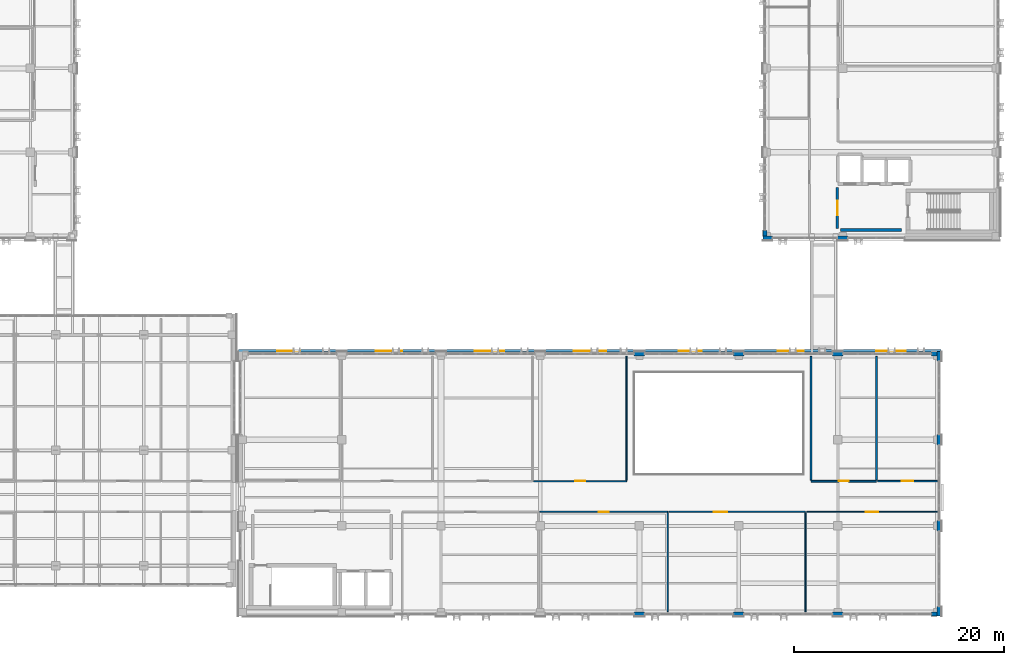
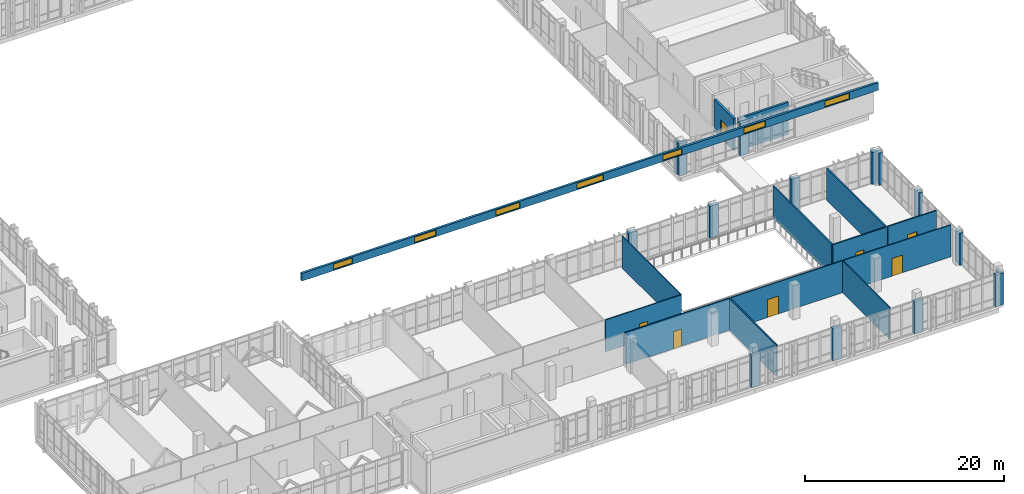
# One storey, part 131 of 158: 29 walls, 7 doors, 7 windows, 14 openings.
"""IFC4 building model written with IfcOpenShell, lengths in metres."""

from ifc_helpers import new_model, si_unit, direction, frame, frame_2d, origin, place, context, subcontext, project, spatial, rectangle, extrude, material, layer, layer_set, type_object, element, fill, save


model = new_model("IFC4")

# Units and contexts
model_context = context("Model", 3, precision=1e-05, world=origin(), true_north=direction((0.0, 1.0)))
body_context = subcontext(model_context, "Body", "Model", "MODEL_VIEW")
ifc_project = project(units=[si_unit("LENGTHUNIT", "METRE"), si_unit("AREAUNIT", "SQUARE_METRE"), si_unit("VOLUMEUNIT", "CUBIC_METRE"), si_unit("PLANEANGLEUNIT", "RADIAN"), si_unit("MASSUNIT", "GRAM", prefix="KILO")], contexts=[model_context])

# Site, building, storey
site_placement = place(None, origin())
site = spatial("IfcSite", under=ifc_project, at=site_placement, CompositionType="ELEMENT")
building_placement = place(site_placement, origin())
building = spatial("IfcBuilding", under=site, at=building_placement, Name="Qalavern Law Courts", CompositionType="ELEMENT")
storey_placement = place(building_placement, frame((0.0, 0.0, 18.60009765625)))
storey = spatial("IfcBuildingStorey", under=building, at=storey_placement, Name="L04", CompositionType="ELEMENT", Elevation=18.60009765625)

# Walls
ifc_material_1 = material(Name="Concrete C40/50", Category="concrete")
ifc_layer_1 = layer(ifc_material_1, 0.39990234375)
ifc_layer_set_1 = layer_set([ifc_layer_1], Name="Concrete C40/50")
wall_type_1 = type_object("IfcWallType", Name="ENV-EW-400", PredefinedType="SOLIDWALL", material=ifc_layer_set_1)
for number, where, z_axis, x_axis, name in (
    (1, (71.93701171875, 5.39990234375, 0.0), (0.0, 0.0, 1.0), (1.0, 0.0, 0.0), "V2 exterior pier wall L04 south 4"),
    (2, (81.391357421875, 5.39990234375, 0.0), (0.0, 0.0, 1.0), (1.0, 0.0, 0.0), "V2 exterior pier wall L04 south 5"),
    (3, (90.845703125, 5.39990234375, 0.0), (0.0, 0.0, 1.0), (1.0, 0.0, 0.0), "V2 exterior pier wall L04 south 6"),
):
    element("IfcWall", number, at=place(storey_placement, frame(where, z_axis=z_axis, x_axis=x_axis)), inside=storey, type_object=wall_type_1, Name=name, PredefinedType="SOLIDWALL", context=body_context, shape_type="SweptSolid", body=[
        extrude(rectangle(XDim=1.0, YDim=0.39990234375, at=frame_2d((0.5, 0.0))), origin(), (0.0, 0.0, 1.0), 3.9248046875),
    ])
wall_1_placement = place(storey_placement, frame((100.2548828125, 5.39990234375, 0.0), z_axis=(0.0, 0.0, 1.0), x_axis=(1.0, 0.0, 0.0)))
element("IfcWall", 4, at=wall_1_placement, inside=storey, type_object=wall_type_1, Name="V2 exterior pier wall L04 south 7", PredefinedType="SOLIDWALL", context=body_context, shape_type="SweptSolid", body=[
    extrude(rectangle(XDim=0.550048828125, YDim=0.39990234375, at=frame_2d((0.27490234375, 0.0))), origin(), (0.0, 0.0, 1.0), 3.9248046875),
])
wall_2_placement = place(storey_placement, frame((101.0, 5.199951171875, 0.0), z_axis=(0.0, 0.0, 1.0), x_axis=(0.0, 1.0, 0.0)))
element("IfcWall", 5, at=wall_2_placement, inside=storey, type_object=wall_type_1, Name="V2 exterior pier wall L04 east 1", PredefinedType="SOLIDWALL", context=body_context, shape_type="SweptSolid", body=[
    extrude(rectangle(XDim=0.900146484375, YDim=0.39990234375, at=frame_2d((0.4501953125, 0.0))), origin(), (0.0, 0.0, 1.0), 3.9248046875),
])
for number, where, z_axis, x_axis, name in (
    (6, (101.0, 13.300048828125, 0.0), (0.0, 0.0, 1.0), (0.0, 1.0, 0.0), "V2 exterior pier wall L04 east 2"),
    (7, (101.0, 21.5, 0.0), (0.0, 0.0, 1.0), (0.0, 1.0, 0.0), "V2 exterior pier wall L04 east 3"),
):
    element("IfcWall", number, at=place(storey_placement, frame(where, z_axis=z_axis, x_axis=x_axis)), inside=storey, type_object=wall_type_1, Name=name, PredefinedType="SOLIDWALL", context=body_context, shape_type="SweptSolid", body=[
        extrude(rectangle(XDim=1.0, YDim=0.39990234375, at=frame_2d((0.5, 0.0))), origin(), (0.0, 0.0, 1.0), 3.9248046875),
    ])
wall_3_placement = place(storey_placement, frame((101.0, 29.5, 0.0), z_axis=(0.0, 0.0, 1.0), x_axis=(0.0, 1.0, 0.0)))
element("IfcWall", 8, at=wall_3_placement, inside=storey, type_object=wall_type_1, Name="V2 exterior pier wall L04 east 4", PredefinedType="SOLIDWALL", context=body_context, shape_type="SweptSolid", body=[
    extrude(rectangle(XDim=0.89990234375, YDim=0.39990234375, at=frame_2d((0.449951171875, 0.0))), origin(), (0.0, 0.0, 1.0), 3.9248046875),
])
wall_4_placement = place(storey_placement, frame((100.804931640625, 30.199951171875, 0.0), z_axis=(0.0, 0.0, 1.0), x_axis=(-1.0, 0.0, 0.0)))
element("IfcWall", 9, at=wall_4_placement, inside=storey, type_object=wall_type_1, Name="V2 exterior pier wall L04 north 1", PredefinedType="SOLIDWALL", context=body_context, shape_type="SweptSolid", body=[
    extrude(rectangle(XDim=0.550048828125, YDim=0.39990234375, at=frame_2d((0.27490234375, 0.0))), origin(), (0.0, 0.0, 1.0), 3.9248046875),
])
for number, where, z_axis, x_axis, name in (
    (10, (91.845703125, 30.199951171875, 0.0), (0.0, 0.0, 1.0), (-1.0, 0.0, 0.0), "V2 exterior pier wall L04 north 2"),
    (11, (82.391357421875, 30.199951171875, 0.0), (0.0, 0.0, 1.0), (-1.0, 0.0, 0.0), "V2 exterior pier wall L04 north 3"),
    (12, (72.93701171875, 30.199951171875, 0.0), (0.0, 0.0, 1.0), (-1.0, 0.0, 0.0), "V2 exterior pier wall L04 north 4"),
):
    element("IfcWall", number, at=place(storey_placement, frame(where, z_axis=z_axis, x_axis=x_axis)), inside=storey, type_object=wall_type_1, Name=name, PredefinedType="SOLIDWALL", context=body_context, shape_type="SweptSolid", body=[
        extrude(rectangle(XDim=1.0, YDim=0.39990234375, at=frame_2d((0.5, 0.0))), origin(), (0.0, 0.0, 1.0), 3.9248046875),
    ])
wall_5_placement = place(storey_placement, frame((84.199951171875, 41.219970703125, 0.0), z_axis=(0.0, 0.0, 1.0), x_axis=(1.0, 0.0, 0.0)))
element("IfcWall", 13, at=wall_5_placement, inside=storey, type_object=wall_type_1, Name="V4 exterior pier wall L04 south 1", PredefinedType="SOLIDWALL", context=body_context, shape_type="SweptSolid", body=[
    extrude(rectangle(XDim=0.900146484375, YDim=0.39990234375, at=frame_2d((0.4501953125, 0.0))), origin(), (0.0, 0.0, 1.0), 3.9248046875),
])
wall_6_placement = place(storey_placement, frame((91.300048828125, 41.219970703125, 0.0), z_axis=(0.0, 0.0, 1.0), x_axis=(1.0, 0.0, 0.0)))
element("IfcWall", 14, at=wall_6_placement, inside=storey, type_object=wall_type_1, Name="V4 exterior pier wall L04 south 2", PredefinedType="SOLIDWALL", context=body_context, shape_type="SweptSolid", body=[
    extrude(rectangle(XDim=1.0, YDim=0.39990234375, at=frame_2d((0.5, 0.0))), origin(), (0.0, 0.0, 1.0), 3.9248046875),
])
wall_7_placement = place(storey_placement, frame((84.39990234375, 41.965087890625, 0.0), z_axis=(0.0, 0.0, 1.0), x_axis=(0.0, -1.0, 0.0)))
element("IfcWall", 15, at=wall_7_placement, inside=storey, type_object=wall_type_1, Name="V4 exterior pier wall L04 west 7", PredefinedType="SOLIDWALL", context=body_context, shape_type="SweptSolid", body=[
    extrude(rectangle(XDim=0.550048828125, YDim=0.39990234375, at=frame_2d((0.27490234375, 0.0))), origin(), (0.0, 0.0, 1.0), 3.9248046875),
])

# Wall, openings, windows
ifc_layer_2 = layer(ifc_material_1, 0.260009765625)
ifc_layer_set_2 = layer_set([ifc_layer_2], Name="Concrete C40/50")
wall_type_2 = type_object("IfcWallType", Name="ENV-EW-CLR260", PredefinedType="SOLIDWALL", material=ifc_layer_set_2)
wall_8_placement = place(storey_placement, frame((101.199951171875, 30.47998046875, 11.059814453125), z_axis=(0.0, 0.0, 1.0), x_axis=(-1.0, 0.0, 0.0)))
wall_8 = element("IfcWall", 16, at=wall_8_placement, inside=storey, type_object=wall_type_2, Name="Ceremonial Hall north clerestory spandrel wall", PredefinedType="SOLIDWALL", context=body_context, shape_type="SweptSolid", body=[
    extrude(rectangle(XDim=66.97998046875, YDim=0.260009765625, at=frame_2d((33.489990234375, 0.0))), origin(), (0.0, 0.0, 1.0), 0.940185546875),
])
opening_1_placement = place(wall_8_placement, frame((61.095703125, 0.0, 0.10009765625)))
opening_1 = element("IfcOpeningElement", 17, at=opening_1_placement, cuts=wall_8, Name="Opening SK-01", PredefinedType="OPENING", context=body_context, shape_type="SweptSolid", body=[
    extrude(rectangle(XDim=2.199951171875, YDim=0.699951171875, at=frame_2d((1.10009765625, 0.35009765625))), frame((0.0, 0.14501953125, 0.0), z_axis=(0.0, -1.0, 0.0), x_axis=(1.0, 0.0, 0.0)), (0.0, 0.0, 1.0), 0.289794921875),
])
opening_2_placement = place(wall_8_placement, frame((51.377197265625, 0.0, 0.10009765625)))
opening_2 = element("IfcOpeningElement", 18, at=opening_2_placement, cuts=wall_8, Name="Opening SK-02", PredefinedType="OPENING", context=body_context, shape_type="SweptSolid", body=[
    extrude(rectangle(XDim=2.5, YDim=0.719970703125, at=frame_2d((1.25, 0.35986328125))), frame((0.0, 0.14501953125, 0.0), z_axis=(0.0, -1.0, 0.0), x_axis=(1.0, 0.0, 0.0)), (0.0, 0.0, 1.0), 0.289794921875),
])
opening_3_placement = place(wall_8_placement, frame((41.65869140625, 0.0, 0.10009765625)))
opening_3 = element("IfcOpeningElement", 19, at=opening_3_placement, cuts=wall_8, Name="Opening SK-03", PredefinedType="OPENING", context=body_context, shape_type="SweptSolid", body=[
    extrude(rectangle(XDim=2.800048828125, YDim=0.719970703125, at=frame_2d((1.39990234375, 0.35986328125))), frame((0.0, 0.14501953125, 0.0), z_axis=(0.0, -1.0, 0.0), x_axis=(1.0, 0.0, 0.0)), (0.0, 0.0, 1.0), 0.289794921875),
])
opening_4_placement = place(wall_8_placement, frame((31.93994140625, 0.0, 0.10009765625)))
opening_4 = element("IfcOpeningElement", 20, at=opening_4_placement, cuts=wall_8, Name="Opening SK-04", PredefinedType="OPENING", context=body_context, shape_type="SweptSolid", body=[
    extrude(rectangle(XDim=3.10009765625, YDim=0.719970703125, at=frame_2d((1.550048828125, 0.35986328125))), frame((0.0, 0.14501953125, 0.0), z_axis=(0.0, -1.0, 0.0), x_axis=(1.0, 0.0, 0.0)), (0.0, 0.0, 1.0), 0.289794921875),
])
opening_5_placement = place(wall_8_placement, frame((22.8212890625, 0.0, 0.10009765625)))
opening_5 = element("IfcOpeningElement", 21, at=opening_5_placement, cuts=wall_8, Name="Opening SK-01", PredefinedType="OPENING", context=body_context, shape_type="SweptSolid", body=[
    extrude(rectangle(XDim=2.199951171875, YDim=0.699951171875, at=frame_2d((1.10009765625, 0.35009765625))), frame((0.0, 0.14501953125, 0.0), z_axis=(0.0, -1.0, 0.0), x_axis=(1.0, 0.0, 0.0)), (0.0, 0.0, 1.0), 0.289794921875),
])
opening_6_placement = place(wall_8_placement, frame((13.102783203125, 0.0, 0.10009765625)))
opening_6 = element("IfcOpeningElement", 22, at=opening_6_placement, cuts=wall_8, Name="Opening SK-02", PredefinedType="OPENING", context=body_context, shape_type="SweptSolid", body=[
    extrude(rectangle(XDim=2.5, YDim=0.719970703125, at=frame_2d((1.25, 0.35986328125))), frame((0.0, 0.14501953125, 0.0), z_axis=(0.0, -1.0, 0.0), x_axis=(1.0, 0.0, 0.0)), (0.0, 0.0, 1.0), 0.289794921875),
])
opening_7_placement = place(wall_8_placement, frame((3.38427734375, 0.0, 0.10009765625)))
opening_7 = element("IfcOpeningElement", 23, at=opening_7_placement, cuts=wall_8, Name="Opening SK-03", PredefinedType="OPENING", context=body_context, shape_type="SweptSolid", body=[
    extrude(rectangle(XDim=2.800048828125, YDim=0.719970703125, at=frame_2d((1.39990234375, 0.35986328125))), frame((0.0, 0.14501953125, 0.0), z_axis=(0.0, -1.0, 0.0), x_axis=(1.0, 0.0, 0.0)), (0.0, 0.0, 1.0), 0.289794921875),
])
ifc_material_2 = material(Name="Anodised aluminium skylight with laminated low-E glazing", Category="aluminium")
window_type_1 = type_object("IfcWindowType", Name="ENV-SKY-2200x700", PartitioningType="SINGLE_PANEL", PredefinedType="SKYLIGHT", material=ifc_material_2)
window_1_placement = place(opening_1_placement, origin())
window_1 = element("IfcWindow", 24, at=window_1_placement, inside=storey, type_object=window_type_1, Name="Ceremonial Hall north clerestory skylight 1", OverallHeight=0.699951171875, OverallWidth=2.199951171875, PartitioningType="SINGLE_PANEL", PredefinedType="SKYLIGHT", context=body_context, shape_type="SweptSolid", body=[
    extrude(rectangle(XDim=2.199951171875, YDim=0.699951171875, at=frame_2d((1.10009765625, 0.35009765625))), frame((0.0, 0.030029296875, 0.0), z_axis=(0.0, -1.0, 0.0), x_axis=(1.0, 0.0, 0.0)), (0.0, 0.0, 1.0), 0.06005859375),
])
fill(opening_1, window_1)
window_2_placement = place(opening_5_placement, origin())
window_2 = element("IfcWindow", 25, at=window_2_placement, inside=storey, type_object=window_type_1, Name="Ceremonial Hall north clerestory skylight 5", OverallHeight=0.699951171875, OverallWidth=2.199951171875, PartitioningType="SINGLE_PANEL", PredefinedType="SKYLIGHT", context=body_context, shape_type="SweptSolid", body=[
    extrude(rectangle(XDim=2.199951171875, YDim=0.699951171875, at=frame_2d((1.10009765625, 0.35009765625))), frame((0.0, 0.030029296875, 0.0), z_axis=(0.0, -1.0, 0.0), x_axis=(1.0, 0.0, 0.0)), (0.0, 0.0, 1.0), 0.06005859375),
])
fill(opening_5, window_2)
window_type_2 = type_object("IfcWindowType", Name="ENV-SKY-2500x720", PartitioningType="SINGLE_PANEL", PredefinedType="SKYLIGHT", material=ifc_material_2)
window_3_placement = place(opening_2_placement, origin())
window_3 = element("IfcWindow", 26, at=window_3_placement, inside=storey, type_object=window_type_2, Name="Ceremonial Hall north clerestory skylight 2", OverallHeight=0.719970703125, OverallWidth=2.5, PartitioningType="SINGLE_PANEL", PredefinedType="SKYLIGHT", context=body_context, shape_type="SweptSolid", body=[
    extrude(rectangle(XDim=2.5, YDim=0.719970703125, at=frame_2d((1.25, 0.35986328125))), frame((0.0, 0.030029296875, 0.0), z_axis=(0.0, -1.0, 0.0), x_axis=(1.0, 0.0, 0.0)), (0.0, 0.0, 1.0), 0.06005859375),
])
fill(opening_2, window_3)
window_4_placement = place(opening_6_placement, origin())
window_4 = element("IfcWindow", 27, at=window_4_placement, inside=storey, type_object=window_type_2, Name="Ceremonial Hall north clerestory skylight 6", OverallHeight=0.719970703125, OverallWidth=2.5, PartitioningType="SINGLE_PANEL", PredefinedType="SKYLIGHT", context=body_context, shape_type="SweptSolid", body=[
    extrude(rectangle(XDim=2.5, YDim=0.719970703125, at=frame_2d((1.25, 0.35986328125))), frame((0.0, 0.030029296875, 0.0), z_axis=(0.0, -1.0, 0.0), x_axis=(1.0, 0.0, 0.0)), (0.0, 0.0, 1.0), 0.06005859375),
])
fill(opening_6, window_4)
window_type_3 = type_object("IfcWindowType", Name="ENV-SKY-2800x720", PartitioningType="SINGLE_PANEL", PredefinedType="SKYLIGHT", material=ifc_material_2)
window_5_placement = place(opening_3_placement, origin())
window_5 = element("IfcWindow", 28, at=window_5_placement, inside=storey, type_object=window_type_3, Name="Ceremonial Hall north clerestory skylight 3", OverallHeight=0.719970703125, OverallWidth=2.800048828125, PartitioningType="SINGLE_PANEL", PredefinedType="SKYLIGHT", context=body_context, shape_type="SweptSolid", body=[
    extrude(rectangle(XDim=2.800048828125, YDim=0.719970703125, at=frame_2d((1.39990234375, 0.35986328125))), frame((0.0, 0.030029296875, 0.0), z_axis=(0.0, -1.0, 0.0), x_axis=(1.0, 0.0, 0.0)), (0.0, 0.0, 1.0), 0.06005859375),
])
fill(opening_3, window_5)
window_6_placement = place(opening_7_placement, origin())
window_6 = element("IfcWindow", 29, at=window_6_placement, inside=storey, type_object=window_type_3, Name="Ceremonial Hall north clerestory skylight 7", OverallHeight=0.719970703125, OverallWidth=2.800048828125, PartitioningType="SINGLE_PANEL", PredefinedType="SKYLIGHT", context=body_context, shape_type="SweptSolid", body=[
    extrude(rectangle(XDim=2.800048828125, YDim=0.719970703125, at=frame_2d((1.39990234375, 0.35986328125))), frame((0.0, 0.030029296875, 0.0), z_axis=(0.0, -1.0, 0.0), x_axis=(1.0, 0.0, 0.0)), (0.0, 0.0, 1.0), 0.06005859375),
])
fill(opening_7, window_6)
window_type_4 = type_object("IfcWindowType", Name="ENV-SKY-3100x720", PartitioningType="SINGLE_PANEL", PredefinedType="SKYLIGHT", material=ifc_material_2)
window_7_placement = place(opening_4_placement, origin())
window_7 = element("IfcWindow", 30, at=window_7_placement, inside=storey, type_object=window_type_4, Name="Ceremonial Hall north clerestory skylight 4", OverallHeight=0.719970703125, OverallWidth=3.10009765625, PartitioningType="SINGLE_PANEL", PredefinedType="SKYLIGHT", context=body_context, shape_type="SweptSolid", body=[
    extrude(rectangle(XDim=3.10009765625, YDim=0.719970703125, at=frame_2d((1.550048828125, 0.35986328125))), frame((0.0, 0.030029296875, 0.0), z_axis=(0.0, -1.0, 0.0), x_axis=(1.0, 0.0, 0.0)), (0.0, 0.0, 1.0), 0.06005859375),
])
fill(opening_4, window_7)

# Wall, opening, door
ifc_layer_3 = layer(ifc_material_1, 0.2451171875)
ifc_layer_set_3 = layer_set([ifc_layer_3], Name="Concrete C40/50")
wall_type_3 = type_object("IfcWallType", Name="INT-FW-245", PredefinedType="PARTITIONING", material=ifc_layer_set_3)
wall_9_placement = place(storey_placement, frame((91.300048828125, 42.14990234375, 0.0), z_axis=(0.0, 0.0, 1.0), x_axis=(0.0, 1.0, 0.0)))
wall_9 = element("IfcWall", 31, at=wall_9_placement, inside=storey, type_object=wall_type_3, Name="Core K1A firefighting/stair lobby fire wall L04", PredefinedType="PARTITIONING", context=body_context, shape_type="SweptSolid", body=[
    extrude(rectangle(XDim=3.900146484375, YDim=0.2451171875, at=frame_2d((1.9501953125, 0.0))), origin(), (0.0, 0.0, 1.0), 3.9248046875),
])
opening_8_placement = place(wall_9_placement, frame((1.27490234375, 0.0, 0.0)))
opening_8 = element("IfcOpeningElement", 32, at=opening_8_placement, cuts=wall_9, Name="Opening L04-D014", PredefinedType="OPENING", context=body_context, shape_type="SweptSolid", body=[
    extrude(rectangle(XDim=1.35009765625, YDim=2.199951171875, at=frame_2d((0.675048828125, 1.10009765625))), frame((0.0, 0.137451171875, 0.0), z_axis=(0.0, -1.0, 0.0), x_axis=(1.0, 0.0, 0.0)), (0.0, 0.0, 1.0), 0.27490234375),
])
ifc_material_3 = material(Name="Steel fire-rated frame and acoustic timber leaves", Category="steel")
door_type_1 = type_object("IfcDoorType", Name="INT-FD-1350x2200", OperationType="DOUBLE_DOOR_SINGLE_SWING", PredefinedType="DOOR", material=ifc_material_3)
door_1_placement = place(opening_8_placement, origin())
door_1 = element("IfcDoor", 33, at=door_1_placement, inside=storey, type_object=door_type_1, Name="Core K1A lobby fire door L04", OperationType="DOUBLE_DOOR_SINGLE_SWING", OverallHeight=2.199951171875, OverallWidth=1.35009765625, PredefinedType="DOOR", context=body_context, shape_type="SweptSolid", body=[
    extrude(rectangle(XDim=1.35009765625, YDim=2.199951171875, at=frame_2d((0.675048828125, 1.10009765625))), frame((0.0, 0.02490234375, 0.0), z_axis=(0.0, -1.0, 0.0), x_axis=(1.0, 0.0, 0.0)), (0.0, 0.0, 1.0), 0.050048828125),
])
fill(opening_8, door_1)

# Wall
wall_10_placement = place(storey_placement, frame((91.60009765625, 42.0, 0.0), z_axis=(0.0, 0.0, 1.0), x_axis=(1.0, 0.0, 0.0)))
element("IfcWall", 34, at=wall_10_placement, inside=storey, type_object=wall_type_3, Name="Core K1A lobby return wall L04 south", PredefinedType="PARTITIONING", context=body_context, shape_type="SweptSolid", body=[
    extrude(rectangle(XDim=5.7998046875, YDim=0.2451171875, at=frame_2d((2.89990234375, 0.0))), origin(), (0.0, 0.0, 1.0), 3.9248046875),
])

# Wall, opening, door
ifc_material_4 = material(Name="Gypsum sanitary partition")
ifc_layer_4 = layer(ifc_material_4, 0.10205078125)
ifc_layer_set_4 = layer_set([ifc_layer_4], Name="Gypsum sanitary partition")
wall_type_4 = type_object("IfcWallType", Name="INT-PW-102", PredefinedType="PARTITIONING", material=ifc_layer_set_4)
wall_11_placement = place(storey_placement, frame((88.3798828125, 15.139892578125, 0.0), z_axis=(0.0, 0.0, 1.0), x_axis=(1.0, 0.0, 0.0)))
wall_11 = element("IfcWall", 35, at=wall_11_placement, inside=storey, type_object=wall_type_4, Name="Press Briefing Room corridor partition L04", PredefinedType="PARTITIONING", context=body_context, shape_type="SweptSolid", body=[
    extrude(rectangle(XDim=12.440185546875, YDim=0.10205078125, at=frame_2d((6.22021484375, 0.0))), origin(), (0.0, 0.0, 1.0), 3.9248046875),
])
opening_9_placement = place(wall_11_placement, frame((5.610107421875, 0.0, 0.0)))
opening_9 = element("IfcOpeningElement", 36, at=opening_9_placement, cuts=wall_11, Name="Opening L04-D191", PredefinedType="OPENING", context=body_context, shape_type="SweptSolid", body=[
    extrude(rectangle(XDim=1.219970703125, YDim=2.179931640625, at=frame_2d((0.60986328125, 1.08984375))), frame((0.0, 0.06591796875, 0.0), z_axis=(0.0, -1.0, 0.0), x_axis=(1.0, 0.0, 0.0)), (0.0, 0.0, 1.0), 0.1318359375),
])
ifc_material_5 = material(Name="Wide oak Plenary Boardroom door")
door_type_2 = type_object("IfcDoorType", Name="INT-ID-1220x2180", OperationType="NOTDEFINED", PredefinedType="DOOR", material=ifc_material_5)
door_2_placement = place(opening_9_placement, frame((1.219970703125, 0.0, 0.0), z_axis=(0.0, 0.0, 1.0), x_axis=(-1.0, 0.0, 0.0)))
door_2 = element("IfcDoor", 37, at=door_2_placement, inside=storey, type_object=door_type_2, Name="Press Briefing Room door L04", OperationType="SINGLE_SWING_LEFT", OverallHeight=2.179931640625, OverallWidth=1.219970703125, PredefinedType="DOOR", context=body_context, shape_type="SweptSolid", body=[
    extrude(rectangle(XDim=1.219970703125, YDim=2.179931640625, at=frame_2d((0.60986328125, 1.08984375))), frame((0.0, 0.02490234375, 0.0), z_axis=(0.0, -1.0, 0.0), x_axis=(1.0, 0.0, 0.0)), (0.0, 0.0, 1.0), 0.050048828125),
])
fill(opening_9, door_2)

ifc_material_6 = material(Name="Gypsum stud partition")
ifc_layer_5 = layer(ifc_material_6, 0.112060546875)
ifc_layer_set_5 = layer_set([ifc_layer_5], Name="Gypsum stud partition")
wall_type_5 = type_object("IfcWallType", Name="INT-PW-112", PredefinedType="PARTITIONING", material=ifc_layer_set_5)
wall_12_placement = place(storey_placement, frame((75.251953125, 15.139892578125, 0.0), z_axis=(0.0, 0.0, 1.0), x_axis=(1.0, 0.0, 0.0)))
wall_12 = element("IfcWall", 38, at=wall_12_placement, inside=storey, type_object=wall_type_5, Name="Court Reporting Office corridor partition L04", PredefinedType="PARTITIONING", context=body_context, shape_type="SweptSolid", body=[
    extrude(rectangle(XDim=13.008056640625, YDim=0.112060546875, at=frame_2d((6.50390625, 0.0))), origin(), (0.0, 0.0, 1.0), 3.9248046875),
])
opening_10_placement = place(wall_12_placement, frame((4.263916015625, 0.0, 0.0)))
opening_10 = element("IfcOpeningElement", 39, at=opening_10_placement, cuts=wall_12, Name="Opening L04-D190", PredefinedType="OPENING", context=body_context, shape_type="SweptSolid", body=[
    extrude(rectangle(XDim=1.280029296875, YDim=2.179931640625, at=frame_2d((0.64013671875, 1.08984375))), frame((0.0, 0.07080078125, 0.0), z_axis=(0.0, -1.0, 0.0), x_axis=(1.0, 0.0, 0.0)), (0.0, 0.0, 1.0), 0.141845703125),
])
ifc_material_7 = material(Name="Wide oak Judicial Conference door")
door_type_3 = type_object("IfcDoorType", Name="INT-ID-1280x2180", OperationType="NOTDEFINED", PredefinedType="DOOR", material=ifc_material_7)
door_3_placement = place(opening_10_placement, frame((1.280029296875, 0.0, 0.0), z_axis=(0.0, 0.0, 1.0), x_axis=(-1.0, 0.0, 0.0)))
door_3 = element("IfcDoor", 40, at=door_3_placement, inside=storey, type_object=door_type_3, Name="Court Reporting Office door L04", OperationType="SINGLE_SWING_RIGHT", OverallHeight=2.179931640625, OverallWidth=1.280029296875, PredefinedType="DOOR", context=body_context, shape_type="SweptSolid", body=[
    extrude(rectangle(XDim=1.280029296875, YDim=2.179931640625, at=frame_2d((0.64013671875, 1.08984375))), frame((0.0, 0.02490234375, 0.0), z_axis=(0.0, -1.0, 0.0), x_axis=(1.0, 0.0, 0.0)), (0.0, 0.0, 1.0), 0.050048828125),
])
fill(opening_10, door_3)

# Wall
wall_13_placement = place(storey_placement, frame((88.260009765625, 5.639892578125, 0.0), z_axis=(0.0, 0.0, 1.0), x_axis=(0.0, 1.0, 0.0)))
element("IfcWall", 41, at=wall_13_placement, inside=storey, type_object=wall_type_5, Name="Court Reporting Office cross partition L04 east", PredefinedType="PARTITIONING", context=body_context, shape_type="SweptSolid", body=[
    extrude(rectangle(XDim=9.424072265625, YDim=0.112060546875, at=frame_2d((4.7119140625, 0.0))), origin(), (0.0, 0.0, 1.0), 3.9248046875),
])

# Wall, opening, door
wall_14_placement = place(storey_placement, frame((62.363037109375, 18.06005859375, 0.0), z_axis=(0.0, 0.0, 1.0), x_axis=(1.0, 0.0, 0.0)))
wall_14 = element("IfcWall", 42, at=wall_14_placement, inside=storey, type_object=wall_type_5, Name="Public WC corridor partition L04", PredefinedType="PARTITIONING", context=body_context, shape_type="SweptSolid", body=[
    extrude(rectangle(XDim=8.846923828125, YDim=0.112060546875, at=frame_2d((4.42333984375, 0.0))), origin(), (0.0, 0.0, 1.0), 3.9248046875),
])
opening_11_placement = place(wall_14_placement, frame((3.95361328125, 0.0, 0.0)))
opening_11 = element("IfcOpeningElement", 43, at=opening_11_placement, cuts=wall_14, Name="Opening L04-D197", PredefinedType="OPENING", context=body_context, shape_type="SweptSolid", body=[
    extrude(rectangle(XDim=0.93994140625, YDim=2.070068359375, at=frame_2d((0.469970703125, 1.03515625))), frame((0.0, 0.07080078125, 0.0), z_axis=(0.0, -1.0, 0.0), x_axis=(1.0, 0.0, 0.0)), (0.0, 0.0, 1.0), 0.141845703125),
])
ifc_material_8 = material(Name="Accessible WC outward-clear door")
door_type_4 = type_object("IfcDoorType", Name="INT-ID-940x2070", OperationType="NOTDEFINED", PredefinedType="DOOR", material=ifc_material_8)
door_4_placement = place(opening_11_placement, origin())
door_4 = element("IfcDoor", 44, at=door_4_placement, inside=storey, type_object=door_type_4, Name="Public WC door L04", OperationType="SINGLE_SWING_LEFT", OverallHeight=2.070068359375, OverallWidth=0.93994140625, PredefinedType="DOOR", context=body_context, shape_type="SweptSolid", body=[
    extrude(rectangle(XDim=0.93994140625, YDim=2.070068359375, at=frame_2d((0.469970703125, 1.03515625))), frame((0.0, 0.02490234375, 0.0), z_axis=(0.0, -1.0, 0.0), x_axis=(1.0, 0.0, 0.0)), (0.0, 0.0, 1.0), 0.050048828125),
])
fill(opening_11, door_4)

# Wall
wall_15_placement = place(storey_placement, frame((71.2099609375, 18.135986328125, 0.0), z_axis=(0.0, 0.0, 1.0), x_axis=(0.0, 1.0, 0.0)))
element("IfcWall", 45, at=wall_15_placement, inside=storey, type_object=wall_type_5, Name="Public WC cross partition L04 east", PredefinedType="PARTITIONING", context=body_context, shape_type="SweptSolid", body=[
    extrude(rectangle(XDim=11.823974609375, YDim=0.112060546875, at=frame_2d((5.912109375, 0.0))), origin(), (0.0, 0.0, 1.0), 3.9248046875),
])

# Wall, opening, door
ifc_layer_6 = layer(ifc_material_6, 0.1220703125)
ifc_layer_set_6 = layer_set([ifc_layer_6], Name="Gypsum stud partition")
wall_type_6 = type_object("IfcWallType", Name="INT-PW-122", PredefinedType="PARTITIONING", material=ifc_layer_set_6)
wall_16_placement = place(storey_placement, frame((62.949951171875, 15.139892578125, 0.0), z_axis=(0.0, 0.0, 1.0), x_axis=(1.0, 0.0, 0.0)))
wall_16 = element("IfcWall", 46, at=wall_16_placement, inside=storey, type_object=wall_type_6, Name="Judicial Conference Hall corridor partition L04", PredefinedType="PARTITIONING", context=body_context, shape_type="SweptSolid", body=[
    extrude(rectangle(XDim=12.18212890625, YDim=0.1220703125, at=frame_2d((6.091064453125, 0.0))), origin(), (0.0, 0.0, 1.0), 3.9248046875),
])
opening_12_placement = place(wall_16_placement, frame((5.611083984375, 0.0, 0.0)))
opening_12 = element("IfcOpeningElement", 47, at=opening_12_placement, cuts=wall_16, Name="Opening L04-D189", PredefinedType="OPENING", context=body_context, shape_type="SweptSolid", body=[
    extrude(rectangle(XDim=0.9599609375, YDim=2.080078125, at=frame_2d((0.47998046875, 1.0400390625))), frame((0.0, 0.075927734375, 0.0), z_axis=(0.0, -1.0, 0.0), x_axis=(1.0, 0.0, 0.0)), (0.0, 0.0, 1.0), 0.15185546875),
])
ifc_material_9 = material(Name="Timber Counsel Consultation door", Category="wood")
door_type_5 = type_object("IfcDoorType", Name="INT-ID-960x2080", OperationType="NOTDEFINED", PredefinedType="DOOR", material=ifc_material_9)
door_5_placement = place(opening_12_placement, frame((0.9599609375, 0.0, 0.0), z_axis=(0.0, 0.0, 1.0), x_axis=(-1.0, 0.0, 0.0)))
door_5 = element("IfcDoor", 48, at=door_5_placement, inside=storey, type_object=door_type_5, Name="Judicial Conference Hall door L04", OperationType="SINGLE_SWING_LEFT", OverallHeight=2.080078125, OverallWidth=0.9599609375, PredefinedType="DOOR", context=body_context, shape_type="SweptSolid", body=[
    extrude(rectangle(XDim=0.9599609375, YDim=2.080078125, at=frame_2d((0.47998046875, 1.0400390625))), frame((0.0, 0.02490234375, 0.0), z_axis=(0.0, -1.0, 0.0), x_axis=(1.0, 0.0, 0.0)), (0.0, 0.0, 1.0), 0.050048828125),
])
fill(opening_12, door_5)

# Wall
wall_17_placement = place(storey_placement, frame((75.132080078125, 5.639892578125, 0.0), z_axis=(0.0, 0.0, 1.0), x_axis=(0.0, 1.0, 0.0)))
element("IfcWall", 49, at=wall_17_placement, inside=storey, type_object=wall_type_6, Name="Judicial Conference Hall cross partition L04 east", PredefinedType="PARTITIONING", context=body_context, shape_type="SweptSolid", body=[
    extrude(rectangle(XDim=9.419189453125, YDim=0.1220703125, at=frame_2d((4.70947265625, 0.0))), origin(), (0.0, 0.0, 1.0), 3.9248046875),
])

# Wall, opening, door
ifc_layer_7 = layer(ifc_material_6, 0.152099609375)
ifc_layer_set_7 = layer_set([ifc_layer_7], Name="Gypsum stud partition")
wall_type_7 = type_object("IfcWallType", Name="INT-PW-152", PredefinedType="PARTITIONING", material=ifc_layer_set_7)
wall_18_placement = place(storey_placement, frame((95.139892578125, 18.06005859375, 0.0), z_axis=(0.0, 0.0, 1.0), x_axis=(1.0, 0.0, 0.0)))
wall_18 = element("IfcWall", 50, at=wall_18_placement, inside=storey, type_object=wall_type_7, Name="Ceremonial Public Gallery corridor partition L04", PredefinedType="PARTITIONING", context=body_context, shape_type="SweptSolid", body=[
    extrude(rectangle(XDim=5.68017578125, YDim=0.152099609375, at=frame_2d((2.840087890625, 0.0))), origin(), (0.0, 0.0, 1.0), 3.9248046875),
])
opening_13_placement = place(wall_18_placement, frame((2.294921875, 0.0, 0.0)))
opening_13 = element("IfcOpeningElement", 51, at=opening_13_placement, cuts=wall_18, Name="Opening L04-D193", PredefinedType="OPENING", context=body_context, shape_type="SweptSolid", body=[
    extrude(rectangle(XDim=1.090087890625, YDim=2.1298828125, at=frame_2d((0.544921875, 1.06494140625))), frame((0.0, 0.0908203125, 0.0), z_axis=(0.0, -1.0, 0.0), x_axis=(1.0, 0.0, 0.0)), (0.0, 0.0, 1.0), 0.181884765625),
])
ifc_material_10 = material(Name="Solid oak Senior Judges' Chambers door")
door_type_6 = type_object("IfcDoorType", Name="INT-ID-1090x2130", OperationType="NOTDEFINED", PredefinedType="DOOR", material=ifc_material_10)
door_6_placement = place(opening_13_placement, origin())
door_6 = element("IfcDoor", 52, at=door_6_placement, inside=storey, type_object=door_type_6, Name="Ceremonial Public Gallery door L04", OperationType="SINGLE_SWING_LEFT", OverallHeight=2.1298828125, OverallWidth=1.090087890625, PredefinedType="DOOR", context=body_context, shape_type="SweptSolid", body=[
    extrude(rectangle(XDim=1.090087890625, YDim=2.1298828125, at=frame_2d((0.544921875, 1.06494140625))), frame((0.0, 0.02490234375, 0.0), z_axis=(0.0, -1.0, 0.0), x_axis=(1.0, 0.0, 0.0)), (0.0, 0.0, 1.0), 0.050048828125),
])
fill(opening_13, door_6)

ifc_layer_8 = layer(ifc_material_6, 0.162109375)
ifc_layer_set_8 = layer_set([ifc_layer_8], Name="Gypsum stud partition")
wall_type_8 = type_object("IfcWallType", Name="INT-PW-162", PredefinedType="PARTITIONING", material=ifc_layer_set_8)
wall_19_placement = place(storey_placement, frame((88.7900390625, 18.06005859375, 0.0), z_axis=(0.0, 0.0, 1.0), x_axis=(1.0, 0.0, 0.0)))
wall_19 = element("IfcWall", 53, at=wall_19_placement, inside=storey, type_object=wall_type_8, Name="Public WC corridor partition L04", PredefinedType="PARTITIONING", context=body_context, shape_type="SweptSolid", body=[
    extrude(rectangle(XDim=6.22998046875, YDim=0.162109375, at=frame_2d((3.114990234375, 0.0))), origin(), (0.0, 0.0, 1.0), 3.9248046875),
])
opening_14_placement = place(wall_19_placement, frame((2.655029296875, 0.0, 0.0)))
opening_14 = element("IfcOpeningElement", 54, at=opening_14_placement, cuts=wall_19, Name="Opening L04-D192", PredefinedType="OPENING", context=body_context, shape_type="SweptSolid", body=[
    extrude(rectangle(XDim=0.919921875, YDim=2.06005859375, at=frame_2d((0.4599609375, 1.030029296875))), frame((0.0, 0.095947265625, 0.0), z_axis=(0.0, -1.0, 0.0), x_axis=(1.0, 0.0, 0.0)), (0.0, 0.0, 1.0), 0.19189453125),
])
ifc_material_11 = material(Name="Public and Staff WC door")
door_type_7 = type_object("IfcDoorType", Name="INT-ID-920x2060", OperationType="NOTDEFINED", PredefinedType="DOOR", material=ifc_material_11)
door_7_placement = place(opening_14_placement, origin())
door_7 = element("IfcDoor", 55, at=door_7_placement, inside=storey, type_object=door_type_7, Name="Public WC door L04", OperationType="SINGLE_SWING_RIGHT", OverallHeight=2.06005859375, OverallWidth=0.919921875, PredefinedType="DOOR", context=body_context, shape_type="SweptSolid", body=[
    extrude(rectangle(XDim=0.919921875, YDim=2.06005859375, at=frame_2d((0.4599609375, 1.030029296875))), frame((0.0, 0.02490234375, 0.0), z_axis=(0.0, -1.0, 0.0), x_axis=(1.0, 0.0, 0.0)), (0.0, 0.0, 1.0), 0.050048828125),
])
fill(opening_14, door_7)

# Walls
for number, where, z_axis, x_axis, name in (
    (56, (88.7900390625, 18.160888671875, 0.0), (0.0, 0.0, 1.0), (0.0, 1.0, 0.0), "Public WC cross partition L04 west"),
    (57, (95.02001953125, 18.160888671875, 0.0), (0.0, 0.0, 1.0), (0.0, 1.0, 0.0), "Public WC cross partition L04 east"),
):
    element("IfcWall", number, at=place(storey_placement, frame(where, z_axis=z_axis, x_axis=x_axis)), inside=storey, type_object=wall_type_8, Name=name, PredefinedType="PARTITIONING", context=body_context, shape_type="SweptSolid", body=[
        extrude(rectangle(XDim=11.799072265625, YDim=0.162109375, at=frame_2d((5.8994140625, 0.0))), origin(), (0.0, 0.0, 1.0), 3.9248046875),
    ])

save(model, "model.ifc")
